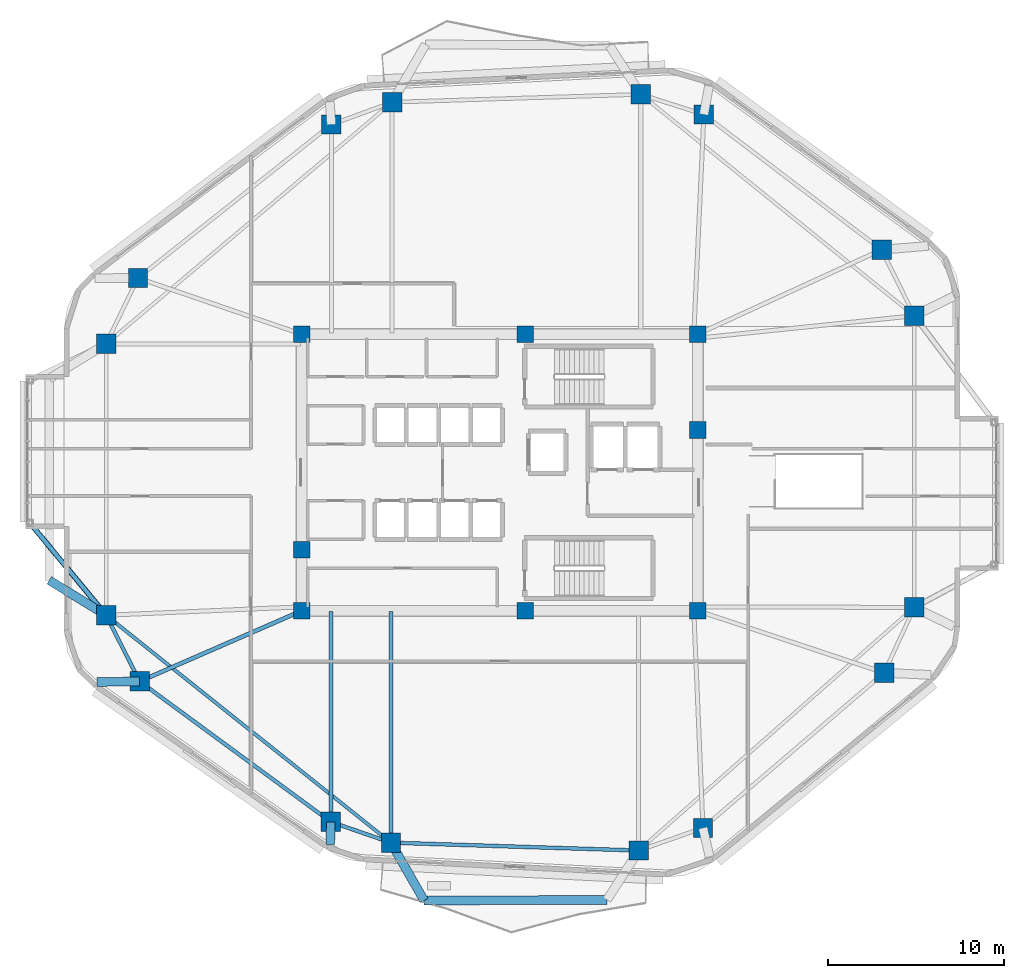
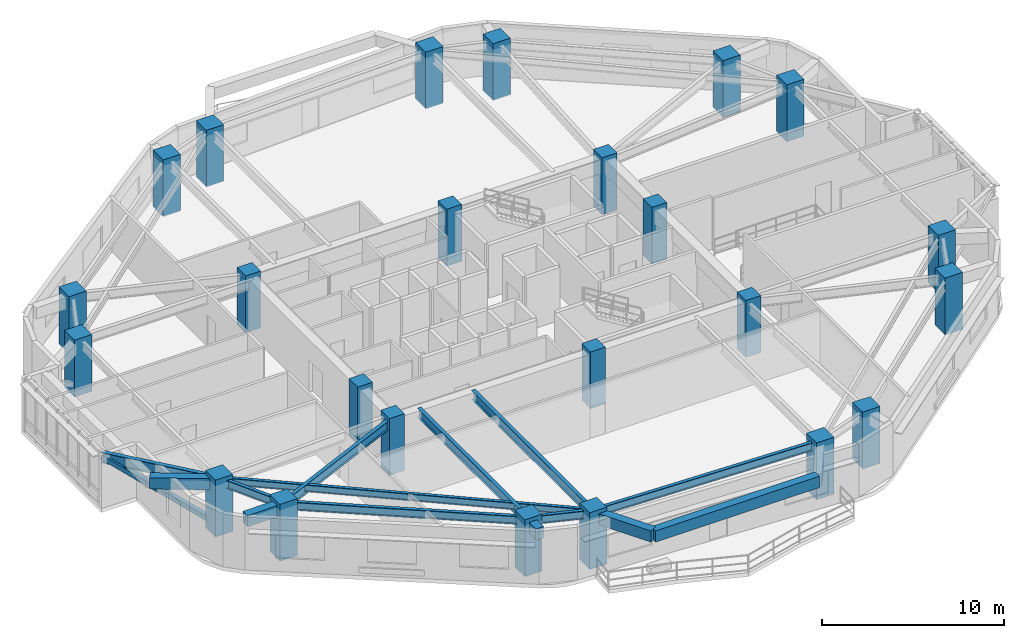
# One storey, part 1 of 14: 24 columns, 14 beams, 1 member.
"""IFC4 building model written with IfcOpenShell, lengths in metres."""

import ifcopenshell
import ifcopenshell.guid

model = None  # the IFC model being written
_history = None  # IfcOwnerHistory: only IFC2X3 demands one
_inside = {}  # id of a spatial element -> (the spatial element, [elements in it])
_under = {}  # id of a project, library or spatial element -> (it, [spatial elements below it])
_declared = {}  # id of a project -> (the project, [libraries it declares])
_typed = {}  # id of a type object -> (the type object, [elements of that type])
_made_of = {}  # id of a material, layer set ... -> (it, [elements and type objects made of it])


def new_model(schema):
    """Start an empty IFC model of exactly this schema.

    Asked for "IFC4X3", IfcOpenShell would pick the latest addendum, in which some entities
    have other attributes; the version numbers below select the first issue.
    IFC2X3 requires an IfcOwnerHistory on every rooted entity: one is made here for all.
    """
    global model, _history
    if schema == "IFC4X3":
        model = ifcopenshell.file(schema_version=(4, 3, 0, 0))
    else:
        model = ifcopenshell.file(schema=schema)
    _inside.clear()
    _under.clear()
    _declared.clear()
    _typed.clear()
    _made_of.clear()
    _history = None
    if model.schema == "IFC2X3":
        org = make("IfcOrganization", Name="unknown")
        user = make(
            "IfcPersonAndOrganization",
            ThePerson=make("IfcPerson", FamilyName="unknown"),
            TheOrganization=org,
        )
        app = make(
            "IfcApplication",
            ApplicationDeveloper=org,
            Version="unknown",
            ApplicationFullName="unknown",
            ApplicationIdentifier="unknown",
        )
        _history = make(
            "IfcOwnerHistory",
            OwningUser=user,
            OwningApplication=app,
            ChangeAction="ADDED",
            CreationDate=0,
        )
    return model


def make(cls, **values):
    """One entity of the class cls with the attributes given. An attribute that is None is left unset."""
    return model.create_entity(
        cls, **{name: value for name, value in values.items() if value is not None}
    )


def rooted(cls, **values):
    """An entity with a GlobalId (a new one), such as an element, a storey or a relation."""
    return make(cls, GlobalId=ifcopenshell.guid.new(), OwnerHistory=_history, **values)


def si_unit(unit_type, name, prefix=None):
    """IfcSIUnit, for example si_unit("LENGTHUNIT", "METRE", prefix="MILLI")."""
    return make("IfcSIUnit", UnitType=unit_type, Prefix=prefix, Name=name)


def assignment(units):
    """IfcUnitAssignment: the units of a project."""
    return None if units is None else make("IfcUnitAssignment", Units=units)


def point(xyz):
    """IfcCartesianPoint."""
    return None if xyz is None else make("IfcCartesianPoint", Coordinates=xyz)


def direction(xyz):
    """IfcDirection."""
    return None if xyz is None else make("IfcDirection", DirectionRatios=xyz)


def frame(location, z_axis=None, x_axis=None):
    """IfcAxis2Placement3D, a coordinate frame: its origin and axes. An axis left out is left unset."""
    return make(
        "IfcAxis2Placement3D",
        Location=point(location),
        Axis=direction(z_axis),
        RefDirection=direction(x_axis),
    )


def frame_2d(location, x_axis=None):
    """IfcAxis2Placement2D, a coordinate frame in the plane: its origin and x axis."""
    return make(
        "IfcAxis2Placement2D", Location=point(location), RefDirection=direction(x_axis)
    )


def origin():
    """The frame at (0, 0, 0) with its axes left unset."""
    return frame((0.0, 0.0, 0.0))


def origin_2d():
    """The frame at (0, 0) in the plane with its x axis left unset."""
    return frame_2d((0.0, 0.0))


def place(relative_to, where):
    """IfcLocalPlacement: puts the frame where relative to a parent placement (None: the world)."""
    return make(
        "IfcLocalPlacement", PlacementRelTo=relative_to, RelativePlacement=where
    )


def context(
    kind, dimensions, precision=None, world=None, true_north=None, identifier=None
):
    """IfcGeometricRepresentationContext, for example the 3D "Model" context."""
    return make(
        "IfcGeometricRepresentationContext",
        ContextIdentifier=identifier,
        ContextType=kind,
        CoordinateSpaceDimension=dimensions,
        Precision=precision,
        WorldCoordinateSystem=world,
        TrueNorth=true_north,
    )


def subcontext(parent, identifier, kind, view, scale=None):
    """IfcGeometricRepresentationSubContext, for example "Body" below "Model"."""
    return make(
        "IfcGeometricRepresentationSubContext",
        ContextIdentifier=identifier,
        ContextType=kind,
        ParentContext=parent,
        TargetScale=scale,
        TargetView=view,
    )


def project(units=None, contexts=None):
    """IfcProject with its units and contexts."""
    return rooted(
        "IfcProject",
        Name="project",
        RepresentationContexts=contexts,
        UnitsInContext=assignment(units),
    )


def spatial(cls, under=None, at=None, **own):
    """A site, building, storey or space (cls), placed at a placement, below another one or the project."""
    s = rooted(cls, ObjectPlacement=at, **own)
    if under is not None:
        _under.setdefault(under.id(), (under, []))[1].append(s)
    return s


def profile(cls, at=None, kind="AREA", **sizes):
    """A parametric profile (cls). Its sizes go by their IFC names, for example OverallWidth=200.0."""
    return make(cls, ProfileType=kind, Position=at, **sizes)


def rectangle(**sizes):
    """IfcRectangleProfileDef."""
    return profile("IfcRectangleProfileDef", **sizes)


def hollow_rectangle(**sizes):
    """IfcRectangleHollowProfileDef."""
    return profile("IfcRectangleHollowProfileDef", **sizes)


def i_section(**sizes):
    """IfcIShapeProfileDef."""
    return profile("IfcIShapeProfileDef", **sizes)


def extrude(swept, where, along, depth):
    """IfcExtrudedAreaSolid: the profile swept, set in the frame where, extruded along a direction by depth."""
    return make(
        "IfcExtrudedAreaSolid",
        SweptArea=swept,
        Position=where,
        ExtrudedDirection=direction(along),
        Depth=depth,
    )


def shape(context_of_items, identifier, shape_type, items):
    """IfcShapeRepresentation: the items that make up one representation, for example the "Body"."""
    return make(
        "IfcShapeRepresentation",
        ContextOfItems=context_of_items,
        RepresentationIdentifier=identifier,
        RepresentationType=shape_type,
        Items=items,
    )


def material(Name=None, Category=None):
    """IfcMaterial."""
    return make("IfcMaterial", Name=Name, Category=Category)


def material_profile(
    of_material, cross_section, Name=None, Category=None, Priority=None
):
    """IfcMaterialProfile: a cross section and its material."""
    return make(
        "IfcMaterialProfile",
        Name=Name,
        Material=of_material,
        Profile=cross_section,
        Priority=Priority,
        Category=Category,
    )


def profile_set(profiles, Name=None, composite=None):
    """IfcMaterialProfileSet."""
    return make(
        "IfcMaterialProfileSet",
        Name=Name,
        MaterialProfiles=profiles,
        CompositeProfile=composite,
    )


def made_of(thing, what):
    """Note that an element or type object is made of a material, layer set ...; save() writes the relation."""
    if what is not None:
        _made_of.setdefault(what.id(), (what, []))[1].append(thing)
    return thing


def type_object(cls, material=None, **own):
    """A type object (cls), such as IfcWallType, which elements share."""
    return made_of(rooted(cls, **own), material)


def element(
    cls,
    number,
    at=None,
    inside=None,
    cuts=None,
    type_object=None,
    material=None,
    context=None,
    identifier="Body",
    shape_type=None,
    held_by="IfcProductDefinitionShape",
    body=None,
    shapes=None,
    **own,
):
    """One element of the class cls, such as IfcWall. Its Tag is "e" and its number.

    at: its placement. inside: the storey or other place that contains it. cuts: it is an
    opening in that element (IfcRelVoidsElement). A single representation is given by context,
    identifier, shape_type and body (its items); several are given by shapes. held_by: the class
    of the entity that holds the representations. save() writes the other relations.
    """
    e = rooted(cls, Tag="e%d" % number, ObjectPlacement=at, **own)
    if body is not None:
        shapes = [shape(context, identifier, shape_type, body)]
    if shapes is not None:
        e.Representation = make(held_by, Representations=shapes)
    if inside is not None:
        _inside.setdefault(inside.id(), (inside, []))[1].append(e)
    if cuts is not None:
        rooted(
            "IfcRelVoidsElement", RelatingBuildingElement=cuts, RelatedOpeningElement=e
        )
    if type_object is not None:
        _typed.setdefault(type_object.id(), (type_object, []))[1].append(e)
    return made_of(e, material)


def aggregate(whole, parts):
    """IfcRelAggregates: a whole, such as a stair, and the parts it consists of."""
    return rooted("IfcRelAggregates", RelatingObject=whole, RelatedObjects=parts)


def save(model, path):
    """Write the relations noted so far, then the file.

    IfcRelAggregates (storeys below a building ...), IfcRelContainedInSpatialStructure (elements
    in a storey), IfcRelDefinesByType, IfcRelAssociatesMaterial and IfcRelDeclares: one each for
    every whole, place, type object, material and project.
    """
    for whole, parts in _under.values():
        aggregate(whole, parts)
    for where, things in _inside.values():
        rooted(
            "IfcRelContainedInSpatialStructure",
            RelatedElements=things,
            RelatingStructure=where,
        )
    for kind, things in _typed.values():
        rooted("IfcRelDefinesByType", RelatedObjects=things, RelatingType=kind)
    for what, things in _made_of.values():
        rooted("IfcRelAssociatesMaterial", RelatedObjects=things, RelatingMaterial=what)
    for by, libraries in _declared.values():
        rooted("IfcRelDeclares", RelatingContext=by, RelatedDefinitions=libraries)
    model.write(path)


model = new_model("IFC4")

# Units and contexts
model_context = context("Model", 3, precision=1e-05, world=origin(), true_north=direction((0.0, 1.0)))
body_context = subcontext(model_context, "Body", "Model", "MODEL_VIEW")
ifc_project = project(units=[si_unit("LENGTHUNIT", "METRE"), si_unit("AREAUNIT", "SQUARE_METRE"), si_unit("VOLUMEUNIT", "CUBIC_METRE"), si_unit("PLANEANGLEUNIT", "RADIAN"), si_unit("MASSUNIT", "GRAM", prefix="KILO")], contexts=[model_context])

# Site, building, storey
site_placement = place(None, origin())
site = spatial("IfcSite", under=ifc_project, at=site_placement, CompositionType="ELEMENT")
building_placement = place(site_placement, origin())
building = spatial("IfcBuilding", under=site, at=building_placement, Name="Zulverin Broadcast Headquarters", CompositionType="ELEMENT")
storey_placement = place(building_placement, frame((0.0, 0.0, 128.800048828125)))
storey = spatial("IfcBuildingStorey", under=building, at=storey_placement, Name="L32", CompositionType="ELEMENT", Elevation=128.800048828125)

# Columns
ifc_material_1 = material(Name="Concrete C60/75", Category="concrete")
ifc_material_profile_1 = material_profile(ifc_material_1, rectangle(XDim=1.10009765625, YDim=1.10009765625, at=origin_2d()), Name="Concrete C60/75", Category="concrete")
ifc_profile_set_1 = profile_set([ifc_material_profile_1], Name="Concrete C60/75")
column_type_1 = type_object("IfcColumnType", Name="COL-RC-1100", PredefinedType="COLUMN", material=ifc_profile_set_1)
for number, where, z_axis, x_axis, name in (
    (1, (30.80859375, 4.12744140625, 0.0), (0.0, 0.0, 1.0), (1.0, 0.0, 0.0), "L32 Perimeter Column T01"),
    (2, (44.909912109375, 3.68017578125, 0.0), (0.0, 0.0, 1.0), (1.0, 0.0, 0.0), "L32 Perimeter Column T02"),
    (3, (48.569580078125, 4.967041015625, 0.0), (0.0, 0.0, 1.0), (1.0, 0.0, 0.0), "L32 Perimeter Column T03"),
    (4, (58.886962890625, 13.798095703125, 0.0), (0.0, 0.0, 1.0), (1.0, 0.0, 0.0), "L32 Perimeter Column T04"),
    (5, (60.60009765625, 17.519287109375, 0.0), (0.0, 0.0, 1.0), (1.0, 0.0, 0.0), "L32 Perimeter Column T05"),
    (6, (60.60009765625, 34.12158203125, 0.0), (0.0, 0.0, 1.0), (1.0, 0.0, 0.0), "L32 Perimeter Column T06"),
    (7, (58.738037109375, 37.877685546875, 0.0), (0.0, 0.0, 1.0), (1.0, 0.0, 0.0), "L32 Perimeter Column T07"),
    (8, (48.62158203125, 45.574951171875, 0.0), (0.0, 0.0, 1.0), (1.0, 0.0, 0.0), "L32 Perimeter Column T08"),
    (9, (45.027587890625, 46.7236328125, 0.0), (0.0, 0.0, 1.0), (1.0, 0.0, 0.0), "L32 Perimeter Column T09"),
    (10, (30.882080078125, 46.27490234375, 0.0), (0.0, 0.0, 1.0), (1.0, 0.0, 0.0), "L32 Perimeter Column T10"),
    (11, (27.416259765625, 45.00439453125, 0.0), (0.0, 0.0, 1.0), (1.0, 0.0, 0.0), "L32 Perimeter Column T11"),
    (12, (16.40869140625, 36.26806640625, 0.0), (0.0, 0.0, 1.0), (1.0, 0.0, 0.0), "L32 Perimeter Column T12"),
    (13, (14.60009765625, 32.523193359375, 0.0), (0.0, 0.0, 1.0), (1.0, 0.0, 0.0), "L32 Perimeter Column T13"),
    (14, (14.60009765625, 17.072021484375, 0.0), (0.0, 0.0, 1.0), (1.0, 0.0, 0.0), "L32 Perimeter Column T14"),
    (15, (16.50537109375, 13.306884765625, 0.0), (0.0, 0.0, 1.0), (1.0, 0.0, 0.0), "L32 Perimeter Column T15"),
    (16, (27.38720703125, 5.309814453125, 0.0), (0.0, 0.0, 1.0), (1.0, 0.0, 0.0), "L32 Perimeter Column T16"),
):
    element("IfcColumn", number, at=place(storey_placement, frame(where, z_axis=z_axis, x_axis=x_axis)), inside=storey, type_object=column_type_1, Name=name, PredefinedType="COLUMN", context=body_context, shape_type="SweptSolid", body=[
        extrude(rectangle(XDim=1.10009765625, YDim=1.10009765625, at=origin_2d()), origin(), (0.0, 0.0, 1.0), 3.800048828125),
    ])
ifc_material_2 = material(Name="Concrete C50/60", Category="concrete")
ifc_material_profile_2 = material_profile(ifc_material_2, rectangle(XDim=0.949951171875, YDim=0.949951171875, at=origin_2d()), Name="Concrete C50/60", Category="concrete")
ifc_profile_set_2 = profile_set([ifc_material_profile_2], Name="Concrete C50/60")
column_type_2 = type_object("IfcColumnType", Name="PIL-RC-950", PredefinedType="PILASTER", material=ifc_profile_set_2)
for number, where, z_axis, x_axis, name in (
    (17, (25.72509765625, 17.324951171875, 0.0), (0.0, 0.0, 1.0), (1.0, 0.0, 0.0), "L32 Core Pilaster K01"),
    (18, (38.449951171875, 17.324951171875, 0.0), (0.0, 0.0, 1.0), (1.0, 0.0, 0.0), "L32 Core Pilaster K02"),
    (19, (48.27490234375, 17.324951171875, 0.0), (0.0, 0.0, 1.0), (1.0, 0.0, 0.0), "L32 Core Pilaster K03"),
    (20, (48.27490234375, 27.6201171875, 0.0), (0.0, 0.0, 1.0), (1.0, 0.0, 0.0), "L32 Core Pilaster K04"),
    (21, (48.27490234375, 33.074951171875, 0.0), (0.0, 0.0, 1.0), (1.0, 0.0, 0.0), "L32 Core Pilaster K05"),
    (22, (38.449951171875, 33.074951171875, 0.0), (0.0, 0.0, 1.0), (1.0, 0.0, 0.0), "L32 Core Pilaster K06"),
    (23, (25.72509765625, 33.074951171875, 0.0), (0.0, 0.0, 1.0), (1.0, 0.0, 0.0), "L32 Core Pilaster K07"),
    (24, (25.72509765625, 20.800048828125, 0.0), (0.0, 0.0, 1.0), (1.0, 0.0, 0.0), "L32 Core Pilaster K08"),
):
    element("IfcColumn", number, at=place(storey_placement, frame(where, z_axis=z_axis, x_axis=x_axis)), inside=storey, type_object=column_type_2, Name=name, PredefinedType="PILASTER", context=body_context, shape_type="SweptSolid", body=[
        extrude(rectangle(XDim=0.949951171875, YDim=0.949951171875, at=origin_2d()), origin(), (0.0, 0.0, 1.0), 3.800048828125),
    ])

# Beams
ifc_material_3 = material(Name="Concrete C40/50", Category="concrete")
ifc_material_profile_3 = material_profile(ifc_material_3, rectangle(XDim=0.5, YDim=0.75, at=origin_2d()), Name="Concrete C40/50", Category="concrete")
ifc_profile_set_3 = profile_set([ifc_material_profile_3], Name="Concrete C40/50")
beam_type_1 = type_object("IfcBeamType", Name="BM-RC-500x750", PredefinedType="BEAM", material=ifc_profile_set_3)
beam_1_placement = place(storey_placement, frame((16.50537109375, 13.306884765625, 3.1650390625), z_axis=(-0.999905564875, -0.013742682824, 0.0), x_axis=(0.013742682824, -0.999905564875, 0.0)))
element("IfcBeam", 25, at=beam_1_placement, inside=storey, type_object=beam_type_1, Name="L33 Plate Overhang Back-Spanned Beam OVR-15", PredefinedType="BEAM", context=body_context, shape_type="SweptSolid", body=[
    extrude(rectangle(XDim=0.5, YDim=0.75, at=origin_2d()), origin(), (0.0, 0.0, 1.0), 2.433837890625),
])
beam_2_placement = place(storey_placement, frame((27.38720703125, 5.309814453125, 3.1650390625), z_axis=(-0.025087158809, -0.999685267703, 0.0), x_axis=(0.999685267703, -0.025087158809, 0.0)))
element("IfcBeam", 26, at=beam_2_placement, inside=storey, type_object=beam_type_1, Name="L33 Plate Overhang Back-Spanned Beam OVR-16", PredefinedType="BEAM", context=body_context, shape_type="SweptSolid", body=[
    extrude(rectangle(XDim=0.5, YDim=0.75, at=origin_2d()), origin(), (0.0, 0.0, 1.0), 1.28466796875),
])
beam_3_placement = place(storey_placement, frame((14.60009765625, 17.072021484375, 3.1650390625), z_axis=(-0.851870018849, 0.523753253915, 0.0), x_axis=(-0.523753253915, -0.851870018849, 0.0)))
element("IfcBeam", 27, at=beam_3_placement, inside=storey, type_object=beam_type_1, Name="L33 Balcony Column-Framed Cantilever BAL_W-2", PredefinedType="BEAM", context=body_context, shape_type="SweptSolid", body=[
    extrude(rectangle(XDim=0.5, YDim=0.75, at=origin_2d()), origin(), (0.0, 0.0, 1.0), 3.800048828125),
])
beam_4_placement = place(storey_placement, frame((30.80859375, 4.12744140625, 3.1650390625), z_axis=(0.498123432757, -0.867106132915, 0.0), x_axis=(0.867106132915, 0.498123432757, 0.0)))
element("IfcBeam", 28, at=beam_4_placement, inside=storey, type_object=beam_type_1, Name="L33 Balcony Column-Framed Cantilever BAL_S-1", PredefinedType="BEAM", context=body_context, shape_type="SweptSolid", body=[
    extrude(rectangle(XDim=0.5, YDim=0.75, at=origin_2d()), origin(), (0.0, 0.0, 1.0), 3.7998046875),
])
beam_5_placement = place(storey_placement, frame((32.701416015625, 0.83251953125, 3.1650390625), z_axis=(0.999993216777, 0.003683259473, 0.0), x_axis=(-0.003683259473, 0.999993216777, 0.0)))
element("IfcBeam", 29, at=beam_5_placement, inside=storey, type_object=beam_type_1, Name="L33 Balcony Outer Edge Trimmer Beam BAL_S", PredefinedType="BEAM", context=body_context, shape_type="SweptSolid", body=[
    extrude(rectangle(XDim=0.5, YDim=0.75, at=origin_2d()), origin(), (0.0, 0.0, 1.0), 10.406494140625),
])
ifc_material_4 = material(Name="Structural steel S355JR", Category="steel")
ifc_material_profile_4 = material_profile(ifc_material_4, i_section(OverallWidth=0.19287109375, OverallDepth=0.46728515625, WebThickness=0.011474609375, FlangeThickness=0.01953125, at=origin_2d()), Name="Structural steel S355JR", Category="steel")
ifc_profile_set_4 = profile_set([ifc_material_profile_4], Name="Structural steel S355JR")
beam_type_2 = type_object("IfcBeamType", Name="BM-UB-457", PredefinedType="JOIST", material=ifc_profile_set_4)
beam_6_placement = place(storey_placement, frame((14.60009765625, 17.072021484375, 3.306396484375), z_axis=(0.781390996609, -0.624041753746, 0.0), x_axis=(0.624041753746, 0.781390996609, 0.0)))
element("IfcBeam", 30, at=beam_6_placement, inside=storey, type_object=beam_type_2, Name="L32 Chordal Floor Joist J-04", PredefinedType="JOIST", context=body_context, shape_type="SweptSolid", body=[
    extrude(i_section(OverallWidth=0.19287109375, OverallDepth=0.46728515625, WebThickness=0.011474609375, FlangeThickness=0.01953125, at=origin_2d()), origin(), (0.0, 0.0, 1.0), 20.7431640625),
])
ifc_material_profile_5 = material_profile(ifc_material_4, i_section(OverallWidth=0.2119140625, OverallDepth=0.54443359375, WebThickness=0.0126953125, FlangeThickness=0.021240234375, at=origin_2d()), Name="Structural steel S355JR", Category="steel")
ifc_profile_set_5 = profile_set([ifc_material_profile_5], Name="Structural steel S355JR")
beam_type_3 = type_object("IfcBeamType", Name="BM-UB-533", PredefinedType="SPANDREL", material=ifc_profile_set_5)
beam_7_placement = place(storey_placement, frame((30.80859375, 4.12744140625, 3.267578125), z_axis=(0.999497363437, -0.031702058031, 0.0), x_axis=(0.031702058031, 0.999497363437, 0.0)))
element("IfcBeam", 31, at=beam_7_placement, inside=storey, type_object=beam_type_3, Name="L32 Perimeter Spandrel Beam SP-01", PredefinedType="SPANDREL", context=body_context, shape_type="SweptSolid", body=[
    extrude(i_section(OverallWidth=0.2119140625, OverallDepth=0.54443359375, WebThickness=0.0126953125, FlangeThickness=0.021240234375, at=origin_2d()), origin(), (0.0, 0.0, 1.0), 14.1083984375),
])
beam_8_placement = place(storey_placement, frame((14.60009765625, 17.072021484375, 3.267578125), z_axis=(0.451512947895, -0.892264567201, 0.0), x_axis=(0.892264567201, 0.451512947895, 0.0)))
element("IfcBeam", 32, at=beam_8_placement, inside=storey, type_object=beam_type_3, Name="L32 Perimeter Spandrel Beam SP-14", PredefinedType="SPANDREL", context=body_context, shape_type="SweptSolid", body=[
    extrude(i_section(OverallWidth=0.2119140625, OverallDepth=0.54443359375, WebThickness=0.0126953125, FlangeThickness=0.021240234375, at=origin_2d()), origin(), (0.0, 0.0, 1.0), 4.2197265625),
])
beam_9_placement = place(storey_placement, frame((16.50537109375, 13.306884765625, 3.267578125), z_axis=(0.805802234061, -0.592184734338, 0.0), x_axis=(0.592184734338, 0.805802234061, 0.0)))
element("IfcBeam", 33, at=beam_9_placement, inside=storey, type_object=beam_type_3, Name="L32 Perimeter Spandrel Beam SP-15", PredefinedType="SPANDREL", context=body_context, shape_type="SweptSolid", body=[
    extrude(i_section(OverallWidth=0.2119140625, OverallDepth=0.54443359375, WebThickness=0.0126953125, FlangeThickness=0.021240234375, at=origin_2d()), origin(), (0.0, 0.0, 1.0), 13.50439453125),
])
beam_10_placement = place(storey_placement, frame((27.38720703125, 5.309814453125, 3.267578125), z_axis=(0.945152732867, -0.326628705956, 0.0), x_axis=(0.326628705956, 0.945152732867, 0.0)))
element("IfcBeam", 34, at=beam_10_placement, inside=storey, type_object=beam_type_3, Name="L32 Perimeter Spandrel Beam SP-16", PredefinedType="SPANDREL", context=body_context, shape_type="SweptSolid", body=[
    extrude(i_section(OverallWidth=0.2119140625, OverallDepth=0.54443359375, WebThickness=0.0126953125, FlangeThickness=0.021240234375, at=origin_2d()), origin(), (0.0, 0.0, 1.0), 3.619873046875),
])
ifc_material_profile_6 = material_profile(ifc_material_4, i_section(OverallWidth=0.230224609375, OverallDepth=0.6171875, WebThickness=0.01318359375, FlangeThickness=0.022216796875, at=origin_2d()), Name="Structural steel S355JR", Category="steel")
ifc_profile_set_6 = profile_set([ifc_material_profile_6], Name="Structural steel S355JR")
beam_type_4 = type_object("IfcBeamType", Name="BM-UB-610", PredefinedType="BEAM", material=ifc_profile_set_6)
beam_11_placement = place(storey_placement, frame((30.80859375, 17.27490234375, 3.2314453125), z_axis=(0.0, -1.0, 0.0), x_axis=(1.0, 0.0, 0.0)))
element("IfcBeam", 35, at=beam_11_placement, inside=storey, type_object=beam_type_4, Name="L32 Radial Primary Floor Beam RB-01", PredefinedType="BEAM", context=body_context, shape_type="SweptSolid", body=[
    extrude(i_section(OverallWidth=0.230224609375, OverallDepth=0.6171875, WebThickness=0.01318359375, FlangeThickness=0.022216796875, at=origin_2d()), origin(), (0.0, 0.0, 1.0), 13.1474609375),
])
beam_12_placement = place(storey_placement, frame((25.72509765625, 17.324951171875, 3.2314453125), z_axis=(-0.916724690104, -0.39951951461, 0.0), x_axis=(0.39951951461, -0.916724690104, 0.0)))
element("IfcBeam", 36, at=beam_12_placement, inside=storey, type_object=beam_type_4, Name="L32 Radial Primary Floor Beam RB-15", PredefinedType="BEAM", context=body_context, shape_type="SweptSolid", body=[
    extrude(i_section(OverallWidth=0.230224609375, OverallDepth=0.6171875, WebThickness=0.01318359375, FlangeThickness=0.022216796875, at=origin_2d()), origin(), (0.0, 0.0, 1.0), 10.05712890625),
])
beam_13_placement = place(storey_placement, frame((27.38720703125, 17.27490234375, 3.2314453125), z_axis=(0.0, -1.0, 0.0), x_axis=(1.0, 0.0, 0.0)))
element("IfcBeam", 37, at=beam_13_placement, inside=storey, type_object=beam_type_4, Name="L32 Radial Primary Floor Beam RB-16", PredefinedType="BEAM", context=body_context, shape_type="SweptSolid", body=[
    extrude(i_section(OverallWidth=0.230224609375, OverallDepth=0.6171875, WebThickness=0.01318359375, FlangeThickness=0.022216796875, at=origin_2d()), origin(), (0.0, 0.0, 1.0), 11.965087890625),
])
ifc_material_profile_7 = material_profile(ifc_material_4, i_section(OverallWidth=0.255859375, OverallDepth=0.69287109375, WebThickness=0.014404296875, FlangeThickness=0.023681640625, at=origin_2d()), Name="Structural steel S355JR", Category="steel")
ifc_profile_set_7 = profile_set([ifc_material_profile_7], Name="Structural steel S355JR")
beam_type_5 = type_object("IfcBeamType", Name="BM-UB-686", PredefinedType="BEAM", material=ifc_profile_set_7)
beam_14_placement = place(storey_placement, frame((14.60009765625, 17.072021484375, 3.193359375), z_axis=(-0.636726287974, 0.771089900208, 0.0), x_axis=(-0.771089900208, -0.636726287974, 0.0)))
element("IfcBeam", 38, at=beam_14_placement, inside=storey, type_object=beam_type_5, Name="L32 Studio Box Cantilever Girder SBOX_SKY1_W-1", PredefinedType="BEAM", context=body_context, shape_type="SweptSolid", body=[
    extrude(i_section(OverallWidth=0.255859375, OverallDepth=0.69287109375, WebThickness=0.014404296875, FlangeThickness=0.023681640625, at=origin_2d()), origin(), (0.0, 0.0, 1.0), 6.83203125),
])

# Member
ifc_material_profile_8 = material_profile(ifc_material_4, hollow_rectangle(XDim=0.300048828125, YDim=0.300048828125, WallThickness=0.01611328125, at=origin_2d()), Name="Structural steel S355JR", Category="steel")
ifc_profile_set_8 = profile_set([ifc_material_profile_8], Name="Structural steel S355JR")
member_type = type_object("IfcMemberType", Name="MBR-BLT-DIAG1", PredefinedType="BRACE", material=ifc_profile_set_8)
member_placement = place(storey_placement, frame((14.60009765625, 17.072021484375, 0.349853515625), z_axis=(-0.586413728984, 0.710160256147, 0.389604092699), x_axis=(-0.771089900208, -0.636726287974, 0.0)))
element("IfcMember", 39, at=member_placement, inside=storey, type_object=member_type, Name="L32 Studio Box Raking Knee Brace SBOX_SKY1_W-1", PredefinedType="BRACE", context=body_context, shape_type="SweptSolid", body=[
    extrude(hollow_rectangle(XDim=0.300048828125, YDim=0.300048828125, WallThickness=0.01611328125, at=origin_2d()), origin(), (0.0, 0.0, 1.0), 7.418212890625),
])

save(model, "model.ifc")
